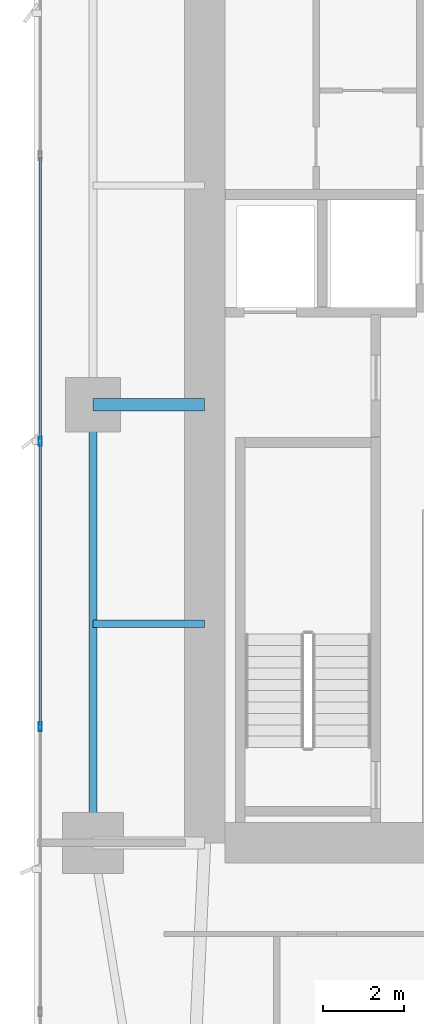
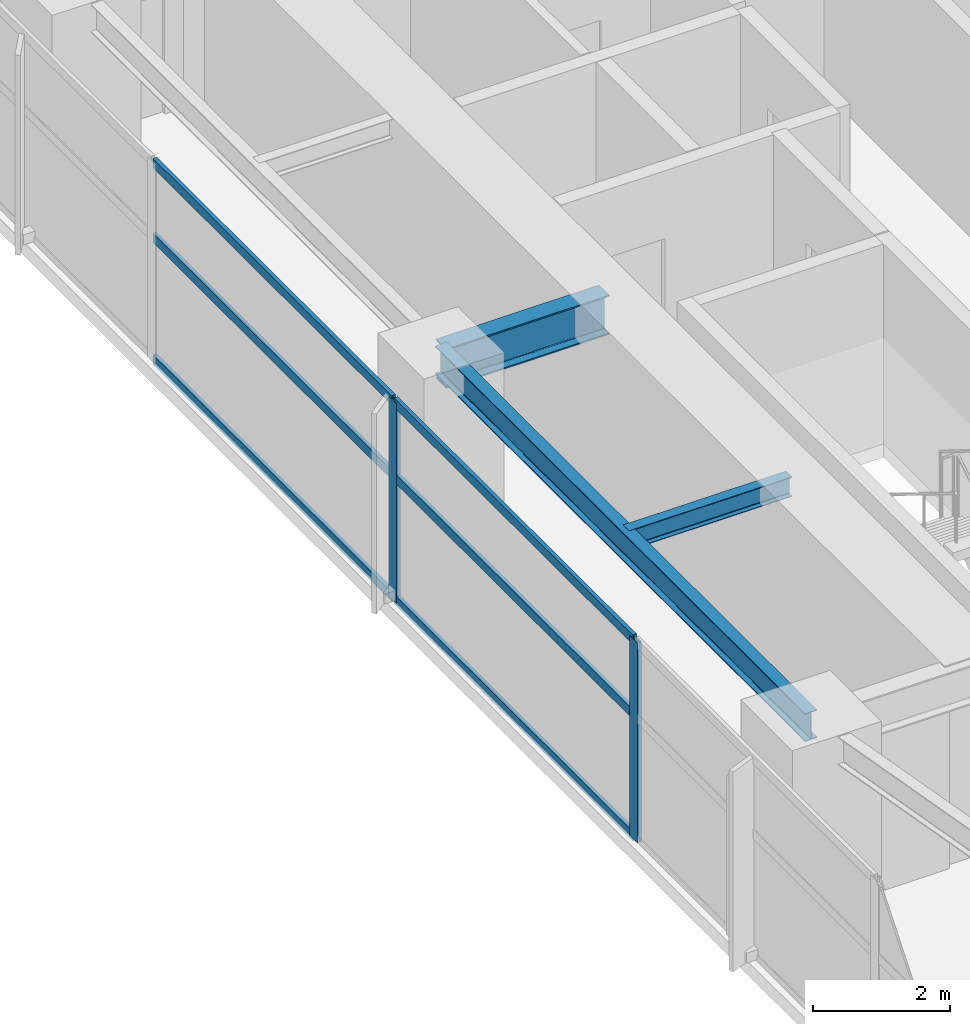
# One storey, part 8 of 30: 8 members, 3 beams, 1 element without a shape of its own.
"""IFC4 building model written with IfcOpenShell, lengths in metres."""

from ifc_helpers import new_model, si_unit, direction, frame, origin, origin_2d, place, context, subcontext, project, spatial, hollow_rectangle, i_section, extrude, material, layer, layer_set, material_profile, profile_set, type_object, element, aggregate, save


model = new_model("IFC4")

# Units and contexts
model_context = context("Model", 3, precision=1e-05, world=origin(), true_north=direction((0.0, 1.0)))
body_context = subcontext(model_context, "Body", "Model", "MODEL_VIEW")
ifc_project = project(units=[si_unit("LENGTHUNIT", "METRE"), si_unit("AREAUNIT", "SQUARE_METRE"), si_unit("VOLUMEUNIT", "CUBIC_METRE"), si_unit("PLANEANGLEUNIT", "RADIAN"), si_unit("MASSUNIT", "GRAM", prefix="KILO")], contexts=[model_context])

# Site, building, storey
site_placement = place(None, origin())
site = spatial("IfcSite", under=ifc_project, at=site_placement, CompositionType="ELEMENT")
building_placement = place(site_placement, origin())
building = spatial("IfcBuilding", under=site, at=building_placement, Name="Calvorn Quay Hotel", CompositionType="ELEMENT")
storey_placement = place(building_placement, frame((0.0, 0.0, 50.800048828125)))
storey = spatial("IfcBuildingStorey", under=building, at=storey_placement, Name="L11", CompositionType="ELEMENT", Elevation=50.800048828125)

# Beams
ifc_material_1 = material(Name="Steel Q390GJC", Category="steel")
ifc_material_profile_1 = material_profile(ifc_material_1, i_section(OverallWidth=0.300048828125, OverallDepth=0.699951171875, WebThickness=0.012939453125, FlangeThickness=0.02392578125, FilletRadius=0.02392578125, at=origin_2d()), Name="HN700x300x13x24")
ifc_profile_set_1 = profile_set([ifc_material_profile_1], Name="Steel Q390GJC")
beam_type_1 = type_object("IfcBeamType", Name="BM-GIRD-MAIN", PredefinedType="BEAM", material=ifc_profile_set_1)
beam_1_placement = place(storey_placement, frame((1.449951171875, 27.60009765625, 3.18994140625), z_axis=(1.0, 0.0, 0.0), x_axis=(0.0, 1.0, 0.0)))
element("IfcBeam", 1, at=beam_1_placement, inside=storey, type_object=beam_type_1, Name="Beam BG-L11-W2", PredefinedType="BEAM", context=body_context, shape_type="SweptSolid", body=[
    extrude(i_section(OverallWidth=0.300048828125, OverallDepth=0.699951171875, WebThickness=0.012939453125, FlangeThickness=0.02392578125, FilletRadius=0.02392578125, at=origin_2d()), origin(), (0.0, 0.0, 1.0), 2.75),
])
ifc_material_2 = material(Name="Steel Q355B", Category="steel")
ifc_material_profile_2 = material_profile(ifc_material_2, i_section(OverallWidth=0.175048828125, OverallDepth=0.35009765625, WebThickness=0.007080078125, FlangeThickness=0.010986328125, FilletRadius=0.013916015625, at=origin_2d()), Name="HN350x175x7x11")
ifc_profile_set_2 = profile_set([ifc_material_profile_2], Name="Steel Q355B")
beam_type_2 = type_object("IfcBeamType", Name="BM-JOIST-SEC", PredefinedType="JOIST", material=ifc_profile_set_2)
beam_2_placement = place(storey_placement, frame((1.449951171875, 22.199951171875, 3.364990234375), z_axis=(1.0, 0.0, 0.0), x_axis=(0.0, 1.0, 0.0)))
element("IfcBeam", 2, at=beam_2_placement, inside=storey, type_object=beam_type_2, Name="Beam BJ-L11-W3", PredefinedType="JOIST", context=body_context, shape_type="SweptSolid", body=[
    extrude(i_section(OverallWidth=0.175048828125, OverallDepth=0.35009765625, WebThickness=0.007080078125, FlangeThickness=0.010986328125, FilletRadius=0.013916015625, at=origin_2d()), origin(), (0.0, 0.0, 1.0), 2.75),
])
ifc_material_3 = material(Name="Steel Q355B", Category="steel")
ifc_material_profile_3 = material_profile(ifc_material_3, i_section(OverallWidth=0.199951171875, OverallDepth=0.5, WebThickness=0.010009765625, FlangeThickness=0.01611328125, FilletRadius=0.01611328125, at=origin_2d()), Name="HN500x200x10x16")
ifc_profile_set_3 = profile_set([ifc_material_profile_3], Name="Steel Q355B")
beam_type_3 = type_object("IfcBeamType", Name="BM-SPANDREL-Z1", PredefinedType="SPANDREL", material=ifc_profile_set_3)
beam_3_placement = place(storey_placement, frame((1.449951171875, 16.800048828125, 3.2900390625), z_axis=(0.0, 1.0, 0.0), x_axis=(-1.0, 0.0, 0.0)))
element("IfcBeam", 3, at=beam_3_placement, inside=storey, type_object=beam_type_3, Name="Beam BSP-L11-W2", PredefinedType="SPANDREL", context=body_context, shape_type="SweptSolid", body=[
    extrude(i_section(OverallWidth=0.199951171875, OverallDepth=0.5, WebThickness=0.010009765625, FlangeThickness=0.01611328125, FilletRadius=0.01611328125, at=origin_2d()), origin(), (0.0, 0.0, 1.0), 10.800048828125),
])

# Curtain wall, members
ifc_material_4 = material(Name="Pale Anodised Aluminium and Low-E Glass", Category="aluminium")
ifc_layer = layer(ifc_material_4, 0.219970703125)
ifc_layer_set = layer_set([ifc_layer], Name="CW-SYS-Z1")
curtain_wall_type = type_object("IfcCurtainWallType", Name="CW-SYS-Z1", PredefinedType="NOTDEFINED", material=ifc_layer_set)
curtain_wall_placement = place(storey_placement, origin())
curtain_wall = element("IfcCurtainWall", 4, at=curtain_wall_placement, inside=storey, type_object=curtain_wall_type, Name="Tower West Curtain Wall (L11)", PredefinedType="NOTDEFINED")
ifc_material_5 = material(Name="Pale Anodised Aluminium 6063-T6", Category="aluminium")
ifc_material_profile_4 = material_profile(ifc_material_5, hollow_rectangle(XDim=0.074951171875, YDim=0.219970703125, WallThickness=0.00439453125, at=origin_2d()), Name="ALU-M220x75x4.5")
ifc_profile_set_4 = profile_set([ifc_material_profile_4], Name="Pale Anodised Aluminium 6063-T6")
member_type_1 = type_object("IfcMemberType", Name="CW-SYS-Z1-MUL", PredefinedType="MULLION", material=ifc_profile_set_4)
member_1_placement = place(storey_placement, frame((0.14990234375, 19.666748046875, 0.0), z_axis=(0.0, 0.0, 1.0), x_axis=(-1.0, 0.0, 0.0)))
member_1 = element("IfcMember", 5, at=member_1_placement, type_object=member_type_1, Name="CW-L11-W mullion 3", PredefinedType="MULLION", context=body_context, shape_type="SweptSolid", body=[
    extrude(hollow_rectangle(XDim=0.074951171875, YDim=0.219970703125, WallThickness=0.00439453125, at=origin_2d()), origin(), (0.0, 0.0, 1.0), 3.56005859375),
])
member_2_placement = place(storey_placement, frame((0.14990234375, 26.699951171875, 0.0), z_axis=(0.0, 0.0, 1.0), x_axis=(-1.0, 0.0, 0.0)))
member_2 = element("IfcMember", 6, at=member_2_placement, type_object=member_type_1, Name="CW-L11-W mullion 4", PredefinedType="MULLION", context=body_context, shape_type="SweptSolid", body=[
    extrude(hollow_rectangle(XDim=0.074951171875, YDim=0.219970703125, WallThickness=0.00439453125, at=origin_2d()), origin(), (0.0, 0.0, 1.0), 3.56005859375),
])
ifc_material_6 = material(Name="Pale Anodised Aluminium 6063-T6", Category="aluminium")
ifc_material_profile_5 = material_profile(ifc_material_6, hollow_rectangle(XDim=0.06494140625, YDim=0.1650390625, WallThickness=0.00341796875, at=origin_2d()), Name="ALU-T165x65x3.5")
ifc_profile_set_5 = profile_set([ifc_material_profile_5], Name="Pale Anodised Aluminium 6063-T6")
member_type_2 = type_object("IfcMemberType", Name="CW-SYS-Z1-TRN", PredefinedType="USERDEFINED", material=ifc_profile_set_5)
member_3_placement = place(storey_placement, frame((0.14990234375, 19.69677734375, 0.030029296875), z_axis=(0.0, 1.0, 0.0), x_axis=(-1.0, 0.0, 0.0)))
member_3 = element("IfcMember", 7, at=member_3_placement, type_object=member_type_2, Name="CW-L11-W transom 3.1", ObjectType="TRANSOM", PredefinedType="USERDEFINED", context=body_context, shape_type="SweptSolid", body=[
    extrude(hollow_rectangle(XDim=0.06494140625, YDim=0.1650390625, WallThickness=0.00341796875, at=origin_2d()), origin(), (0.0, 0.0, 1.0), 6.97314453125),
])
member_4_placement = place(storey_placement, frame((0.14990234375, 19.69677734375, 2.199951171875), z_axis=(0.0, 1.0, 0.0), x_axis=(-1.0, 0.0, 0.0)))
member_4 = element("IfcMember", 8, at=member_4_placement, type_object=member_type_2, Name="CW-L11-W transom 3.2", ObjectType="TRANSOM", PredefinedType="USERDEFINED", context=body_context, shape_type="SweptSolid", body=[
    extrude(hollow_rectangle(XDim=0.06494140625, YDim=0.1650390625, WallThickness=0.00341796875, at=origin_2d()), origin(), (0.0, 0.0, 1.0), 6.97314453125),
])
member_5_placement = place(storey_placement, frame((0.14990234375, 19.69677734375, 3.530029296875), z_axis=(0.0, 1.0, 0.0), x_axis=(-1.0, 0.0, 0.0)))
member_5 = element("IfcMember", 9, at=member_5_placement, type_object=member_type_2, Name="CW-L11-W transom 3.3", ObjectType="TRANSOM", PredefinedType="USERDEFINED", context=body_context, shape_type="SweptSolid", body=[
    extrude(hollow_rectangle(XDim=0.06494140625, YDim=0.1650390625, WallThickness=0.00341796875, at=origin_2d()), origin(), (0.0, 0.0, 1.0), 6.97314453125),
])
member_6_placement = place(storey_placement, frame((0.14990234375, 26.72998046875, 0.030029296875), z_axis=(0.0, 1.0, 0.0), x_axis=(-1.0, 0.0, 0.0)))
member_6 = element("IfcMember", 10, at=member_6_placement, type_object=member_type_2, Name="CW-L11-W transom 4.1", ObjectType="TRANSOM", PredefinedType="USERDEFINED", context=body_context, shape_type="SweptSolid", body=[
    extrude(hollow_rectangle(XDim=0.06494140625, YDim=0.1650390625, WallThickness=0.00341796875, at=origin_2d()), origin(), (0.0, 0.0, 1.0), 6.973388671875),
])
member_7_placement = place(storey_placement, frame((0.14990234375, 26.72998046875, 2.199951171875), z_axis=(0.0, 1.0, 0.0), x_axis=(-1.0, 0.0, 0.0)))
member_7 = element("IfcMember", 11, at=member_7_placement, type_object=member_type_2, Name="CW-L11-W transom 4.2", ObjectType="TRANSOM", PredefinedType="USERDEFINED", context=body_context, shape_type="SweptSolid", body=[
    extrude(hollow_rectangle(XDim=0.06494140625, YDim=0.1650390625, WallThickness=0.00341796875, at=origin_2d()), origin(), (0.0, 0.0, 1.0), 6.973388671875),
])
member_8_placement = place(storey_placement, frame((0.14990234375, 26.72998046875, 3.530029296875), z_axis=(0.0, 1.0, 0.0), x_axis=(-1.0, 0.0, 0.0)))
member_8 = element("IfcMember", 12, at=member_8_placement, type_object=member_type_2, Name="CW-L11-W transom 4.3", ObjectType="TRANSOM", PredefinedType="USERDEFINED", context=body_context, shape_type="SweptSolid", body=[
    extrude(hollow_rectangle(XDim=0.06494140625, YDim=0.1650390625, WallThickness=0.00341796875, at=origin_2d()), origin(), (0.0, 0.0, 1.0), 6.973388671875),
])
aggregate(curtain_wall, [member_1, member_2, member_3, member_4, member_5, member_6, member_7, member_8])

save(model, "model.ifc")
